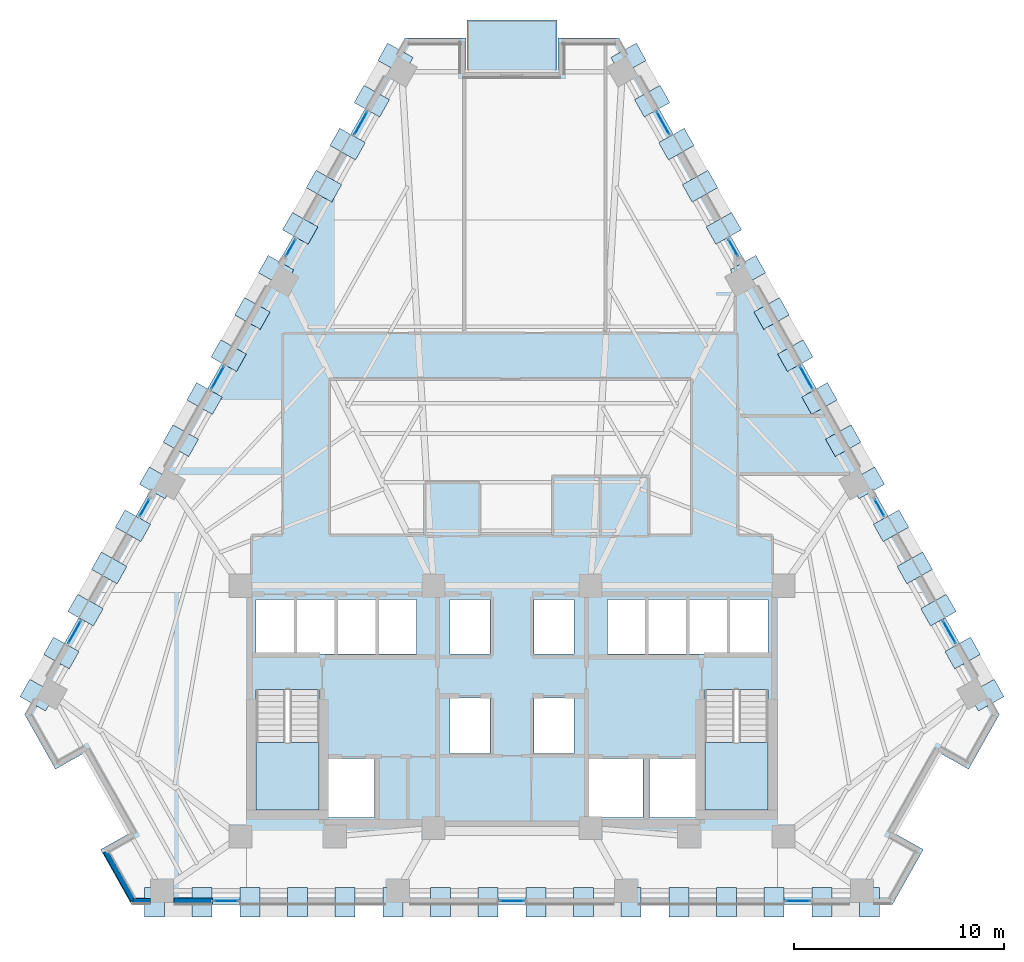
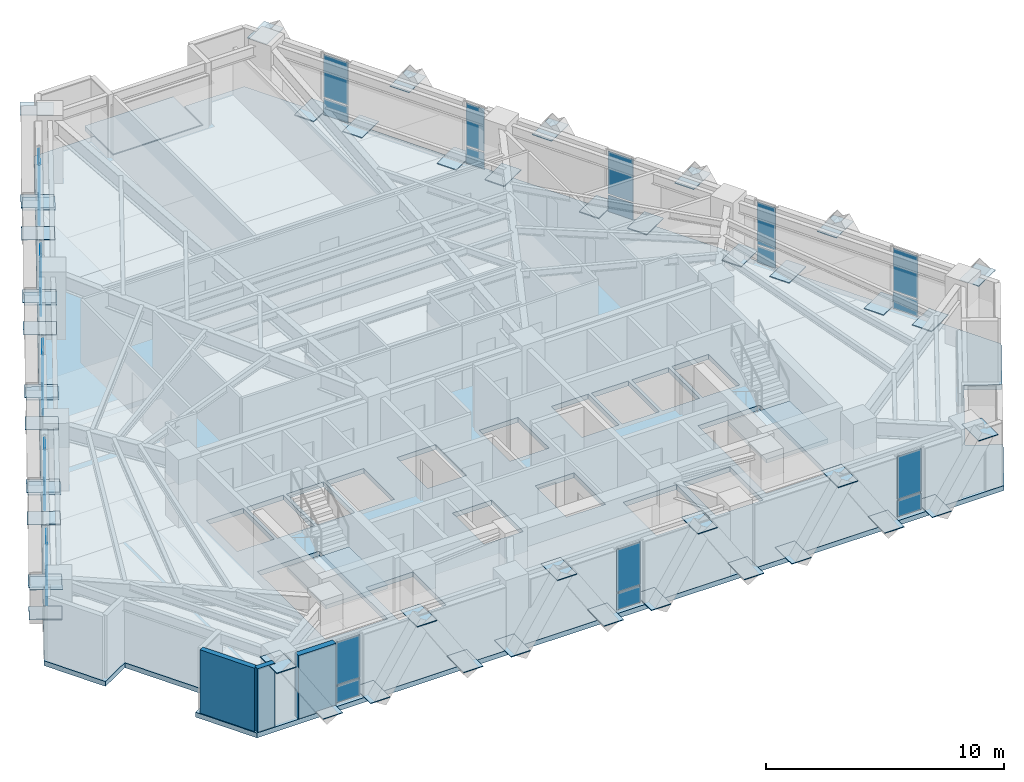
# One storey, part 6 of 13: 74 plates, 4 slabs, 3 walls, 15 elements without a shape of their own.
"""IFC4 building model written with IfcOpenShell, lengths in metres."""

from ifc_helpers import new_model, si_unit, direction, frame, frame_2d, origin, origin_2d, place, context, subcontext, project, spatial, polyline, rectangle, outline, extrude, material, layer, layer_set, type_object, element, aggregate, save


model = new_model("IFC4")

# Units and contexts
model_context = context("Model", 3, precision=1e-05, world=origin(), true_north=direction((0.0, 1.0)))
body_context = subcontext(model_context, "Body", "Model", "MODEL_VIEW")
ifc_project = project(units=[si_unit("LENGTHUNIT", "METRE"), si_unit("AREAUNIT", "SQUARE_METRE"), si_unit("VOLUMEUNIT", "CUBIC_METRE"), si_unit("PLANEANGLEUNIT", "RADIAN"), si_unit("MASSUNIT", "GRAM", prefix="KILO")], contexts=[model_context])

# Site, building, storey
site_placement = place(None, origin())
site = spatial("IfcSite", under=ifc_project, at=site_placement, CompositionType="ELEMENT")
building_placement = place(site_placement, origin())
building = spatial("IfcBuilding", under=site, at=building_placement, Name="Quenlor Broadcast Tower", CompositionType="ELEMENT")
storey_placement = place(building_placement, frame((0.0, 0.0, 95.0)))
storey = spatial("IfcBuildingStorey", under=building, at=storey_placement, Name="L25", CompositionType="ELEMENT", Elevation=95.0)

# Curtain wall, plates
ifc_material_1 = material(Name="Architectural Terracotta and Low-E Glazing", Category="masonry")
curtain_wall_type = type_object("IfcCurtainWallType", Name="Unitised Terracotta Curtain Wall System Z2", PredefinedType="NOTDEFINED", material=ifc_material_1)
curtain_wall_1_placement = place(storey_placement, origin())
curtain_wall_1 = element("IfcCurtainWall", 1, at=curtain_wall_1_placement, inside=storey, type_object=curtain_wall_type, Name="L25 Curtain Wall CW2 (L25-SA-G1)", PredefinedType="NOTDEFINED")
ifc_material_2 = material(Name="Double Glazed Low-E Solar Glass", Category="glass")
ifc_layer_1 = layer(ifc_material_2, 0.030029296875)
ifc_layer_set_1 = layer_set([ifc_layer_1], Name="CW2 Double Glazed Vision Panel 30")
plate_type_1 = type_object("IfcPlateType", Name="CW2 Double Glazed Vision Panel 30", PredefinedType="CURTAIN_PANEL", material=ifc_layer_set_1)
plate_1_placement = place(storey_placement, frame((13.63525390625, -19.840087890625, 0.074951171875), z_axis=(0.0, 0.0, 1.0), x_axis=(-1.0, 0.0, 0.0)))
plate_1 = element("IfcPlate", 2, at=plate_1_placement, type_object=plate_type_1, Name="CW2 panel 1.1", PredefinedType="CURTAIN_PANEL", context=body_context, shape_type="SweptSolid", body=[
    extrude(rectangle(XDim=1.1630859375, YDim=0.030029296875, at=origin_2d()), origin(), (0.0, 0.0, 1.0), 0.83740234375),
])
plate_2_placement = place(storey_placement, frame((13.63525390625, -19.840087890625, 0.987548828125), z_axis=(0.0, 0.0, 1.0), x_axis=(-1.0, 0.0, 0.0)))
plate_2 = element("IfcPlate", 3, at=plate_2_placement, type_object=plate_type_1, Name="CW2 panel 1.2", PredefinedType="CURTAIN_PANEL", context=body_context, shape_type="SweptSolid", body=[
    extrude(rectangle(XDim=1.1630859375, YDim=0.030029296875, at=origin_2d()), origin(), (0.0, 0.0, 1.0), 2.1875),
])
aggregate(curtain_wall_1, [plate_1, plate_2])

curtain_wall_2_placement = place(storey_placement, origin())
curtain_wall_2 = element("IfcCurtainWall", 4, at=curtain_wall_2_placement, inside=storey, type_object=curtain_wall_type, Name="L25 Curtain Wall CW2 (L25-SC-G1)", PredefinedType="NOTDEFINED")
plate_3_placement = place(storey_placement, frame((-13.63525390625, -19.840087890625, 0.074951171875), z_axis=(0.0, 0.0, 1.0), x_axis=(-1.0, 0.0, 0.0)))
plate_3 = element("IfcPlate", 5, at=plate_3_placement, type_object=plate_type_1, Name="CW2 panel 1.1", PredefinedType="CURTAIN_PANEL", context=body_context, shape_type="SweptSolid", body=[
    extrude(rectangle(XDim=1.1630859375, YDim=0.030029296875, at=origin_2d()), origin(), (0.0, 0.0, 1.0), 0.83740234375),
])
plate_4_placement = place(storey_placement, frame((-13.63525390625, -19.840087890625, 0.987548828125), z_axis=(0.0, 0.0, 1.0), x_axis=(-1.0, 0.0, 0.0)))
plate_4 = element("IfcPlate", 6, at=plate_4_placement, type_object=plate_type_1, Name="CW2 panel 1.2", PredefinedType="CURTAIN_PANEL", context=body_context, shape_type="SweptSolid", body=[
    extrude(rectangle(XDim=1.1630859375, YDim=0.030029296875, at=origin_2d()), origin(), (0.0, 0.0, 1.0), 2.1875),
])
aggregate(curtain_wall_2, [plate_3, plate_4])

curtain_wall_3_placement = place(storey_placement, origin())
curtain_wall_3 = element("IfcCurtainWall", 7, at=curtain_wall_3_placement, inside=storey, type_object=curtain_wall_type, Name="L25 Curtain Wall CW2 (L25-S-G1)", PredefinedType="NOTDEFINED")
plate_5_placement = place(storey_placement, frame((0.0, -19.840087890625, 0.074951171875), z_axis=(0.0, 0.0, 1.0), x_axis=(-1.0, 0.0, 0.0)))
plate_5 = element("IfcPlate", 8, at=plate_5_placement, type_object=plate_type_1, Name="CW2 panel 1.1", PredefinedType="CURTAIN_PANEL", context=body_context, shape_type="SweptSolid", body=[
    extrude(rectangle(XDim=1.1630859375, YDim=0.030029296875, at=origin_2d()), origin(), (0.0, 0.0, 1.0), 0.83740234375),
])
plate_6_placement = place(storey_placement, frame((0.0, -19.840087890625, 0.987548828125), z_axis=(0.0, 0.0, 1.0), x_axis=(-1.0, 0.0, 0.0)))
plate_6 = element("IfcPlate", 9, at=plate_6_placement, type_object=plate_type_1, Name="CW2 panel 1.2", PredefinedType="CURTAIN_PANEL", context=body_context, shape_type="SweptSolid", body=[
    extrude(rectangle(XDim=1.1630859375, YDim=0.030029296875, at=origin_2d()), origin(), (0.0, 0.0, 1.0), 2.1875),
])
aggregate(curtain_wall_3, [plate_5, plate_6])

curtain_wall_4_placement = place(storey_placement, origin())
curtain_wall_4 = element("IfcCurtainWall", 10, at=curtain_wall_4_placement, inside=storey, type_object=curtain_wall_type, Name="L25 Curtain Wall CW2 (L25-NEA-G1)", PredefinedType="NOTDEFINED")
plate_7_placement = place(storey_placement, frame((7.209228515625, 17.257080078125, 0.074951171875), z_axis=(0.0, 0.0, 1.0), x_axis=(0.490247320704, -0.871583366376, 0.0)))
plate_7 = element("IfcPlate", 11, at=plate_7_placement, type_object=plate_type_1, Name="CW2 panel 1.1", PredefinedType="CURTAIN_PANEL", context=body_context, shape_type="SweptSolid", body=[
    extrude(rectangle(XDim=1.21435546875, YDim=0.030029296875, at=origin_2d()), origin(), (0.0, 0.0, 1.0), 0.83740234375),
])
plate_8_placement = place(storey_placement, frame((7.209228515625, 17.257080078125, 0.987548828125), z_axis=(0.0, 0.0, 1.0), x_axis=(0.490247320704, -0.871583366376, 0.0)))
plate_8 = element("IfcPlate", 12, at=plate_8_placement, type_object=plate_type_1, Name="CW2 panel 1.2", PredefinedType="CURTAIN_PANEL", context=body_context, shape_type="SweptSolid", body=[
    extrude(rectangle(XDim=1.21435546875, YDim=0.030029296875, at=origin_2d()), origin(), (0.0, 0.0, 1.0), 2.1875),
])
aggregate(curtain_wall_4, [plate_7, plate_8])

curtain_wall_5_placement = place(storey_placement, origin())
curtain_wall_5 = element("IfcCurtainWall", 13, at=curtain_wall_5_placement, inside=storey, type_object=curtain_wall_type, Name="L25 Curtain Wall CW2 (L25-NEA-G2)", PredefinedType="NOTDEFINED")
plate_9_placement = place(storey_placement, frame((10.54736328125, 11.322998046875, 0.074951171875), z_axis=(0.0, 0.0, 1.0), x_axis=(0.490252261371, -0.871580587336, 0.0)))
plate_9 = element("IfcPlate", 14, at=plate_9_placement, type_object=plate_type_1, Name="CW2 panel 1.1", PredefinedType="CURTAIN_PANEL", context=body_context, shape_type="SweptSolid", body=[
    extrude(rectangle(XDim=0.90771484375, YDim=0.030029296875, at=origin_2d()), origin(), (0.0, 0.0, 1.0), 0.83740234375),
])
plate_10_placement = place(storey_placement, frame((10.54736328125, 11.322998046875, 0.987548828125), z_axis=(0.0, 0.0, 1.0), x_axis=(0.490252261371, -0.871580587336, 0.0)))
plate_10 = element("IfcPlate", 15, at=plate_10_placement, type_object=plate_type_1, Name="CW2 panel 1.2", PredefinedType="CURTAIN_PANEL", context=body_context, shape_type="SweptSolid", body=[
    extrude(rectangle(XDim=0.90771484375, YDim=0.030029296875, at=origin_2d()), origin(), (0.0, 0.0, 1.0), 2.1875),
])
aggregate(curtain_wall_5, [plate_9, plate_10])

curtain_wall_6_placement = place(storey_placement, origin())
curtain_wall_6 = element("IfcCurtainWall", 16, at=curtain_wall_6_placement, inside=storey, type_object=curtain_wall_type, Name="L25 Curtain Wall CW2 (L25-NEC-G1)", PredefinedType="NOTDEFINED")
plate_11_placement = place(storey_placement, frame((17.523681640625, -1.079833984375, 0.074951171875), z_axis=(0.0, 0.0, 1.0), x_axis=(0.490252261371, -0.871580587336, 0.0)))
plate_11 = element("IfcPlate", 17, at=plate_11_placement, type_object=plate_type_1, Name="CW2 panel 1.1", PredefinedType="CURTAIN_PANEL", context=body_context, shape_type="SweptSolid", body=[
    extrude(rectangle(XDim=0.90771484375, YDim=0.030029296875, at=origin_2d()), origin(), (0.0, 0.0, 1.0), 0.83740234375),
])
plate_12_placement = place(storey_placement, frame((17.523681640625, -1.079833984375, 0.987548828125), z_axis=(0.0, 0.0, 1.0), x_axis=(0.490252261371, -0.871580587336, 0.0)))
plate_12 = element("IfcPlate", 18, at=plate_12_placement, type_object=plate_type_1, Name="CW2 panel 1.2", PredefinedType="CURTAIN_PANEL", context=body_context, shape_type="SweptSolid", body=[
    extrude(rectangle(XDim=0.90771484375, YDim=0.030029296875, at=origin_2d()), origin(), (0.0, 0.0, 1.0), 2.1875),
])
aggregate(curtain_wall_6, [plate_11, plate_12])

curtain_wall_7_placement = place(storey_placement, origin())
curtain_wall_7 = element("IfcCurtainWall", 19, at=curtain_wall_7_placement, inside=storey, type_object=curtain_wall_type, Name="L25 Curtain Wall CW2 (L25-NEC-G2)", PredefinedType="NOTDEFINED")
plate_13_placement = place(storey_placement, frame((20.861572265625, -7.013916015625, 0.074951171875), z_axis=(0.0, 0.0, 1.0), x_axis=(0.490278639232, -0.871565749621, 0.0)))
plate_13 = element("IfcPlate", 20, at=plate_13_placement, type_object=plate_type_1, Name="CW2 panel 1.1", PredefinedType="CURTAIN_PANEL", context=body_context, shape_type="SweptSolid", body=[
    extrude(rectangle(XDim=1.21435546875, YDim=0.030029296875, at=origin_2d()), origin(), (0.0, 0.0, 1.0), 0.83740234375),
])
plate_14_placement = place(storey_placement, frame((20.861572265625, -7.013916015625, 0.987548828125), z_axis=(0.0, 0.0, 1.0), x_axis=(0.490278639232, -0.871565749621, 0.0)))
plate_14 = element("IfcPlate", 21, at=plate_14_placement, type_object=plate_type_1, Name="CW2 panel 1.2", PredefinedType="CURTAIN_PANEL", context=body_context, shape_type="SweptSolid", body=[
    extrude(rectangle(XDim=1.21435546875, YDim=0.030029296875, at=origin_2d()), origin(), (0.0, 0.0, 1.0), 2.1875),
])
aggregate(curtain_wall_7, [plate_13, plate_14])

curtain_wall_8_placement = place(storey_placement, origin())
curtain_wall_8 = element("IfcCurtainWall", 22, at=curtain_wall_8_placement, inside=storey, type_object=curtain_wall_type, Name="L25 Curtain Wall CW2 (L25-NE-G1)", PredefinedType="NOTDEFINED")
plate_15_placement = place(storey_placement, frame((14.035400390625, 5.12158203125, 0.074951171875), z_axis=(0.0, 0.0, 1.0), x_axis=(0.490254279037, -0.871579452423, 0.0)))
plate_15 = element("IfcPlate", 23, at=plate_15_placement, type_object=plate_type_1, Name="CW2 panel 1.1", PredefinedType="CURTAIN_PANEL", context=body_context, shape_type="SweptSolid", body=[
    extrude(rectangle(XDim=1.214111328125, YDim=0.030029296875, at=origin_2d()), origin(), (0.0, 0.0, 1.0), 0.83740234375),
])
plate_16_placement = place(storey_placement, frame((14.035400390625, 5.12158203125, 0.987548828125), z_axis=(0.0, 0.0, 1.0), x_axis=(0.490254279037, -0.871579452423, 0.0)))
plate_16 = element("IfcPlate", 24, at=plate_16_placement, type_object=plate_type_1, Name="CW2 panel 1.2", PredefinedType="CURTAIN_PANEL", context=body_context, shape_type="SweptSolid", body=[
    extrude(rectangle(XDim=1.214111328125, YDim=0.030029296875, at=origin_2d()), origin(), (0.0, 0.0, 1.0), 2.1875),
])
aggregate(curtain_wall_8, [plate_15, plate_16])

curtain_wall_9_placement = place(storey_placement, origin())
curtain_wall_9 = element("IfcCurtainWall", 25, at=curtain_wall_9_placement, inside=storey, type_object=curtain_wall_type, Name="L25 Curtain Wall CW2 (L25-NWA-G1)", PredefinedType="NOTDEFINED")
plate_17_placement = place(storey_placement, frame((-20.861572265625, -7.013916015625, 0.074951171875), z_axis=(0.0, 0.0, 1.0), x_axis=(0.490278639232, 0.871565749621, 0.0)))
plate_17 = element("IfcPlate", 26, at=plate_17_placement, type_object=plate_type_1, Name="CW2 panel 1.1", PredefinedType="CURTAIN_PANEL", context=body_context, shape_type="SweptSolid", body=[
    extrude(rectangle(XDim=1.21435546875, YDim=0.030029296875, at=origin_2d()), origin(), (0.0, 0.0, 1.0), 0.83740234375),
])
plate_18_placement = place(storey_placement, frame((-20.861572265625, -7.013916015625, 0.987548828125), z_axis=(0.0, 0.0, 1.0), x_axis=(0.490278639232, 0.871565749621, 0.0)))
plate_18 = element("IfcPlate", 27, at=plate_18_placement, type_object=plate_type_1, Name="CW2 panel 1.2", PredefinedType="CURTAIN_PANEL", context=body_context, shape_type="SweptSolid", body=[
    extrude(rectangle(XDim=1.21435546875, YDim=0.030029296875, at=origin_2d()), origin(), (0.0, 0.0, 1.0), 2.1875),
])
aggregate(curtain_wall_9, [plate_17, plate_18])

curtain_wall_10_placement = place(storey_placement, origin())
curtain_wall_10 = element("IfcCurtainWall", 28, at=curtain_wall_10_placement, inside=storey, type_object=curtain_wall_type, Name="L25 Curtain Wall CW2 (L25-NWA-G2)", PredefinedType="NOTDEFINED")
plate_19_placement = place(storey_placement, frame((-17.523681640625, -1.079833984375, 0.074951171875), z_axis=(0.0, 0.0, 1.0), x_axis=(0.490252261371, 0.871580587336, 0.0)))
plate_19 = element("IfcPlate", 29, at=plate_19_placement, type_object=plate_type_1, Name="CW2 panel 1.1", PredefinedType="CURTAIN_PANEL", context=body_context, shape_type="SweptSolid", body=[
    extrude(rectangle(XDim=0.90771484375, YDim=0.030029296875, at=origin_2d()), origin(), (0.0, 0.0, 1.0), 0.83740234375),
])
plate_20_placement = place(storey_placement, frame((-17.523681640625, -1.079833984375, 0.987548828125), z_axis=(0.0, 0.0, 1.0), x_axis=(0.490252261371, 0.871580587336, 0.0)))
plate_20 = element("IfcPlate", 30, at=plate_20_placement, type_object=plate_type_1, Name="CW2 panel 1.2", PredefinedType="CURTAIN_PANEL", context=body_context, shape_type="SweptSolid", body=[
    extrude(rectangle(XDim=0.90771484375, YDim=0.030029296875, at=origin_2d()), origin(), (0.0, 0.0, 1.0), 2.1875),
])
aggregate(curtain_wall_10, [plate_19, plate_20])

curtain_wall_11_placement = place(storey_placement, origin())
curtain_wall_11 = element("IfcCurtainWall", 31, at=curtain_wall_11_placement, inside=storey, type_object=curtain_wall_type, Name="L25 Curtain Wall CW2 (L25-NWC-G1)", PredefinedType="NOTDEFINED")
plate_21_placement = place(storey_placement, frame((-10.54736328125, 11.322998046875, 0.074951171875), z_axis=(0.0, 0.0, 1.0), x_axis=(0.490252261371, 0.871580587336, 0.0)))
plate_21 = element("IfcPlate", 32, at=plate_21_placement, type_object=plate_type_1, Name="CW2 panel 1.1", PredefinedType="CURTAIN_PANEL", context=body_context, shape_type="SweptSolid", body=[
    extrude(rectangle(XDim=0.90771484375, YDim=0.030029296875, at=origin_2d()), origin(), (0.0, 0.0, 1.0), 0.83740234375),
])
plate_22_placement = place(storey_placement, frame((-10.54736328125, 11.322998046875, 0.987548828125), z_axis=(0.0, 0.0, 1.0), x_axis=(0.490252261371, 0.871580587336, 0.0)))
plate_22 = element("IfcPlate", 33, at=plate_22_placement, type_object=plate_type_1, Name="CW2 panel 1.2", PredefinedType="CURTAIN_PANEL", context=body_context, shape_type="SweptSolid", body=[
    extrude(rectangle(XDim=0.90771484375, YDim=0.030029296875, at=origin_2d()), origin(), (0.0, 0.0, 1.0), 2.1875),
])
aggregate(curtain_wall_11, [plate_21, plate_22])

curtain_wall_12_placement = place(storey_placement, origin())
curtain_wall_12 = element("IfcCurtainWall", 34, at=curtain_wall_12_placement, inside=storey, type_object=curtain_wall_type, Name="L25 Curtain Wall CW2 (L25-NWC-G2)", PredefinedType="NOTDEFINED")
plate_23_placement = place(storey_placement, frame((-7.209228515625, 17.257080078125, 0.074951171875), z_axis=(0.0, 0.0, 1.0), x_axis=(0.490247320704, 0.871583366376, 0.0)))
plate_23 = element("IfcPlate", 35, at=plate_23_placement, type_object=plate_type_1, Name="CW2 panel 1.1", PredefinedType="CURTAIN_PANEL", context=body_context, shape_type="SweptSolid", body=[
    extrude(rectangle(XDim=1.21435546875, YDim=0.030029296875, at=origin_2d()), origin(), (0.0, 0.0, 1.0), 0.83740234375),
])
plate_24_placement = place(storey_placement, frame((-7.209228515625, 17.257080078125, 0.987548828125), z_axis=(0.0, 0.0, 1.0), x_axis=(0.490247320704, 0.871583366376, 0.0)))
plate_24 = element("IfcPlate", 36, at=plate_24_placement, type_object=plate_type_1, Name="CW2 panel 1.2", PredefinedType="CURTAIN_PANEL", context=body_context, shape_type="SweptSolid", body=[
    extrude(rectangle(XDim=1.21435546875, YDim=0.030029296875, at=origin_2d()), origin(), (0.0, 0.0, 1.0), 2.1875),
])
aggregate(curtain_wall_12, [plate_23, plate_24])

curtain_wall_13_placement = place(storey_placement, origin())
curtain_wall_13 = element("IfcCurtainWall", 37, at=curtain_wall_13_placement, inside=storey, type_object=curtain_wall_type, Name="L25 Curtain Wall CW2 (L25-NW-G1)", PredefinedType="NOTDEFINED")
plate_25_placement = place(storey_placement, frame((-14.035400390625, 5.12158203125, 0.074951171875), z_axis=(0.0, 0.0, 1.0), x_axis=(0.490254279037, 0.871579452423, 0.0)))
plate_25 = element("IfcPlate", 38, at=plate_25_placement, type_object=plate_type_1, Name="CW2 panel 1.1", PredefinedType="CURTAIN_PANEL", context=body_context, shape_type="SweptSolid", body=[
    extrude(rectangle(XDim=1.214111328125, YDim=0.030029296875, at=origin_2d()), origin(), (0.0, 0.0, 1.0), 0.83740234375),
])
plate_26_placement = place(storey_placement, frame((-14.035400390625, 5.12158203125, 0.987548828125), z_axis=(0.0, 0.0, 1.0), x_axis=(0.490254279037, 0.871579452423, 0.0)))
plate_26 = element("IfcPlate", 39, at=plate_26_placement, type_object=plate_type_1, Name="CW2 panel 1.2", PredefinedType="CURTAIN_PANEL", context=body_context, shape_type="SweptSolid", body=[
    extrude(rectangle(XDim=1.214111328125, YDim=0.030029296875, at=origin_2d()), origin(), (0.0, 0.0, 1.0), 2.1875),
])
aggregate(curtain_wall_13, [plate_25, plate_26])

# Stair, slab
ifc_material_3 = material(Name="Precast concrete C40/50", Category="concrete")
stair_type = type_object("IfcStairType", Name="Precast Concrete C40/50 Dogleg Stair H350", PredefinedType="HALF_TURN_STAIR", material=ifc_material_3)
stair_1_placement = place(storey_placement, origin())
stair_1 = element("IfcStair", 40, at=stair_1_placement, inside=storey, type_object=stair_type, Name="L25 West Core Fire-Isolated Exit Stair ST-1", PredefinedType="HALF_TURN_STAIR")
ifc_material_4 = material(Name="Precast concrete C40/50", Category="concrete")
ifc_layer_2 = layer(ifc_material_4, 0.199951171875)
ifc_layer_set_2 = layer_set([ifc_layer_2], Name="Precast Concrete C40/50 Stair Landing Slab 200")
slab_type_1 = type_object("IfcSlabType", Name="Precast Concrete C40/50 Stair Landing Slab 200", PredefinedType="LANDING", material=ifc_layer_set_2)
slab_1_placement = place(storey_placement, frame((0.0, 0.0, 1.550048828125)))
slab_1 = element("IfcSlab", 41, at=slab_1_placement, type_object=slab_type_1, Name="ST-1 landing 1", PredefinedType="LANDING", context=body_context, shape_type="SweptSolid", body=[
    extrude(outline(polyline([(-12.199951171875, -12.27001953125), (-12.199951171875, -15.5), (-9.199951171875, -15.5), (-9.199951171875, -12.27001953125), (-12.199951171875, -12.27001953125)])), origin(), (0.0, 0.0, 1.0), 0.199951171875),
])
aggregate(stair_1, [slab_1])

stair_2_placement = place(storey_placement, origin())
stair_2 = element("IfcStair", 42, at=stair_2_placement, inside=storey, type_object=stair_type, Name="L25 East Core Fire-Isolated Exit Stair ST-2", PredefinedType="HALF_TURN_STAIR")
slab_2_placement = place(storey_placement, frame((0.0, 0.0, 1.550048828125)))
slab_2 = element("IfcSlab", 43, at=slab_2_placement, type_object=slab_type_1, Name="ST-2 landing 1", PredefinedType="LANDING", context=body_context, shape_type="SweptSolid", body=[
    extrude(outline(polyline([(9.199951171875, -12.27001953125), (9.199951171875, -15.5), (12.199951171875, -15.5), (12.199951171875, -12.27001953125), (9.199951171875, -12.27001953125)])), origin(), (0.0, 0.0, 1.0), 0.199951171875),
])
aggregate(stair_2, [slab_2])

# Slabs
ifc_material_5 = material(Name="Concrete C40/50", Category="concrete")
ifc_layer_3 = layer(ifc_material_5, 0.239990234375)
ifc_layer_set_3 = layer_set([ifc_layer_3], Name="Sky Lobby Lower Concrete C40/50 Terrace Slab 240")
slab_type_2 = type_object("IfcSlabType", Name="Sky Lobby Lower Concrete C40/50 Terrace Slab 240", PredefinedType="FLOOR", material=ifc_layer_set_3)
slab_3_placement = place(storey_placement, frame((0.0, 0.0, -0.239990234375)))
element("IfcSlab", 44, at=slab_3_placement, inside=storey, type_object=slab_type_2, Name="L25 Outdoor Setback Terrace Slab", PredefinedType="FLOOR", context=body_context, shape_type="SweptSolid", body=[
    extrude(outline(polyline([(-2.14990234375, 19.780029296875), (2.14990234375, 19.780029296875), (2.14990234375, 22.179931640625), (-2.14990234375, 22.179931640625), (-2.14990234375, 19.780029296875)])), origin(), (0.0, 0.0, 1.0), 0.239990234375),
])
ifc_material_6 = material(Name="Concrete C40/50", Category="concrete")
ifc_layer_4 = layer(ifc_material_6, 0.25)
ifc_layer_set_4 = layer_set([ifc_layer_4], Name="Tower Composite Concrete C40/50 Slab 250")
slab_type_3 = type_object("IfcSlabType", Name="Tower Composite Concrete C40/50 Slab 250", PredefinedType="FLOOR", material=ifc_layer_set_4)
slab_4_placement = place(storey_placement, frame((0.0, 0.0, -0.25)))
element("IfcSlab", 45, at=slab_4_placement, inside=storey, type_object=slab_type_3, Name="L25 Structural Floor Slab", PredefinedType="FLOOR", context=body_context, shape_type="SweptSolid", body=[
    extrude(outline(polyline([(18.14404296875, -20.0), (19.616943359375, -17.381591796875), (18.222412109375, -16.596923828125), (20.379638671875, -12.76220703125), (21.774169921875, -13.54638671875), (23.2470703125, -10.927978515625), (5.10302734375, 21.327880859375), (2.199951171875, 21.327880859375), (2.199951171875, 19.72802734375), (-2.199951171875, 19.72802734375), (-2.199951171875, 21.327880859375), (-5.10302734375, 21.327880859375), (-23.2470703125, -10.927978515625), (-21.774169921875, -13.54638671875), (-20.379638671875, -12.76220703125), (-18.222412109375, -16.596923828125), (-19.616943359375, -17.381591796875), (-18.14404296875, -20.0), (18.14404296875, -20.0)]), holes=[polyline([(-12.199951171875, -9.758056640625), (-12.199951171875, -15.5), (-9.199951171875, -15.5), (-9.199951171875, -9.758056640625), (-12.199951171875, -9.758056640625)]), polyline([(9.199951171875, -9.758056640625), (9.199951171875, -15.5), (12.199951171875, -15.5), (12.199951171875, -9.758056640625), (9.199951171875, -9.758056640625)]), polyline([(-12.199951171875, -8.050048828125), (-10.39990234375, -8.050048828125), (-10.39990234375, -5.449951171875), (-12.199951171875, -5.449951171875), (-12.199951171875, -8.050048828125)]), polyline([(-10.25, -8.050048828125), (-8.449951171875, -8.050048828125), (-8.449951171875, -5.449951171875), (-10.25, -5.449951171875), (-10.25, -8.050048828125)]), polyline([(-8.300048828125, -8.050048828125), (-6.5, -8.050048828125), (-6.5, -5.449951171875), (-8.300048828125, -5.449951171875), (-8.300048828125, -8.050048828125)]), polyline([(-6.35009765625, -8.050048828125), (-4.550048828125, -8.050048828125), (-4.550048828125, -5.449951171875), (-6.35009765625, -5.449951171875), (-6.35009765625, -8.050048828125)]), polyline([(-2.949951171875, -8.050048828125), (-1.050048828125, -8.050048828125), (-1.050048828125, -5.449951171875), (-2.949951171875, -5.449951171875), (-2.949951171875, -8.050048828125)]), polyline([(1.050048828125, -8.050048828125), (2.949951171875, -8.050048828125), (2.949951171875, -5.449951171875), (1.050048828125, -5.449951171875), (1.050048828125, -8.050048828125)]), polyline([(-2.949951171875, -12.800048828125), (-1.050048828125, -12.800048828125), (-1.050048828125, -10.14990234375), (-2.949951171875, -10.14990234375), (-2.949951171875, -12.800048828125)]), polyline([(1.050048828125, -12.800048828125), (2.949951171875, -12.800048828125), (2.949951171875, -10.14990234375), (1.050048828125, -10.14990234375), (1.050048828125, -12.800048828125)]), polyline([(4.550048828125, -8.050048828125), (6.35009765625, -8.050048828125), (6.35009765625, -5.449951171875), (4.550048828125, -5.449951171875), (4.550048828125, -8.050048828125)]), polyline([(6.5, -8.050048828125), (8.300048828125, -8.050048828125), (8.300048828125, -5.449951171875), (6.5, -5.449951171875), (6.5, -8.050048828125)]), polyline([(8.449951171875, -8.050048828125), (10.25, -8.050048828125), (10.25, -5.449951171875), (8.449951171875, -5.449951171875), (8.449951171875, -8.050048828125)]), polyline([(10.39990234375, -8.050048828125), (12.199951171875, -8.050048828125), (12.199951171875, -5.449951171875), (10.39990234375, -5.449951171875), (10.39990234375, -8.050048828125)]), polyline([(-8.85009765625, -15.85009765625), (-6.550048828125, -15.85009765625), (-6.550048828125, -13.050048828125), (-8.85009765625, -13.050048828125), (-8.85009765625, -15.85009765625)]), polyline([(6.550048828125, -15.85009765625), (8.85009765625, -15.85009765625), (8.85009765625, -13.050048828125), (6.550048828125, -13.050048828125), (6.550048828125, -15.85009765625)]), polyline([(3.64990234375, -15.85009765625), (6.25, -15.85009765625), (6.25, -13.050048828125), (3.64990234375, -13.050048828125), (3.64990234375, -15.85009765625)])]), origin(), (0.0, 0.0, 1.0), 0.25),
])

# Plates
ifc_material_7 = material(Name="Steel S355", Category="steel")
ifc_layer_5 = layer(ifc_material_7, 0.035888671875)
ifc_layer_set_5 = layer_set([ifc_layer_5], Name="Transfer Truss Steel S355 Gusset Node Plate 1400x950x36")
plate_type_2 = type_object("IfcPlateType", Name="Transfer Truss Steel S355 Gusset Node Plate 1400x950x36", PredefinedType="SHEET", material=ifc_layer_set_5)
for number, where, z_axis, x_axis, name in (
    (46, (12.4853515625, -19.89990234375, 0.0419921875), (0.0, 0.0, 1.0), (0.0, -1.0, 0.0), "L25 Lattice Tie Gusset Node S-B2"),
    (47, (10.226318359375, -19.89990234375, 3.18212890625), (0.0, 0.0, 1.0), (0.0, -1.0, 0.0), "L25 Lattice Tie Gusset Node S-T3"),
    (48, (14.78515625, -19.89990234375, 0.0419921875), (0.0, 0.0, 1.0), (0.0, -1.0, 0.0), "L25 Lattice Tie Gusset Node S-B1"),
    (49, (17.0439453125, -19.89990234375, 3.18212890625), (0.0, 0.0, 1.0), (0.0, -1.0, 0.0), "L25 Lattice Tie Gusset Node S-T0"),
    (50, (5.667724609375, -19.89990234375, 0.0419921875), (0.0, 0.0, 1.0), (0.0, -1.0, 0.0), "L25 Lattice Tie Gusset Node S-B5"),
    (51, (3.40869140625, -19.89990234375, 3.18212890625), (0.0, 0.0, 1.0), (0.0, -1.0, 0.0), "L25 Lattice Tie Gusset Node S-T6"),
    (52, (7.967529296875, -19.89990234375, 0.0419921875), (0.0, 0.0, 1.0), (0.0, -1.0, 0.0), "L25 Lattice Tie Gusset Node S-B4"),
    (53, (-1.14990234375, -19.89990234375, 0.0419921875), (0.0, 0.0, 1.0), (0.0, -1.0, 0.0), "L25 Lattice Tie Gusset Node S-B8"),
    (54, (-3.40869140625, -19.89990234375, 3.18212890625), (0.0, 0.0, 1.0), (0.0, -1.0, 0.0), "L25 Lattice Tie Gusset Node S-T9"),
    (55, (1.14990234375, -19.89990234375, 0.0419921875), (0.0, 0.0, 1.0), (0.0, -1.0, 0.0), "L25 Lattice Tie Gusset Node S-B7"),
    (56, (-7.967529296875, -19.89990234375, 0.0419921875), (0.0, 0.0, 1.0), (0.0, -1.0, 0.0), "L25 Lattice Tie Gusset Node S-B11"),
    (57, (-10.226318359375, -19.89990234375, 3.18212890625), (0.0, 0.0, 1.0), (0.0, -1.0, 0.0), "L25 Lattice Tie Gusset Node S-T12"),
    (58, (-5.667724609375, -19.89990234375, 0.0419921875), (0.0, 0.0, 1.0), (0.0, -1.0, 0.0), "L25 Lattice Tie Gusset Node S-B10"),
    (59, (-14.78515625, -19.89990234375, 0.0419921875), (0.0, 0.0, 1.0), (0.0, -1.0, 0.0), "L25 Lattice Tie Gusset Node S-B14"),
    (60, (-17.0439453125, -19.89990234375, 3.18212890625), (0.0, 0.0, 1.0), (0.0, -1.0, 0.0), "L25 Lattice Tie Gusset Node S-T15"),
    (61, (-12.4853515625, -19.89990234375, 0.0419921875), (0.0, 0.0, 1.0), (0.0, -1.0, 0.0), "L25 Lattice Tie Gusset Node S-B13"),
    (62, (7.83740234375, 16.262939453125, 0.0419921875), (0.0, 0.0, 1.0), (0.871556314255, 0.490295412055, 0.0), "L25 Lattice Tie Gusset Node NE-B2"),
    (63, (8.96826171875, 14.252685546875, 3.18212890625), (0.0, 0.0, 1.0), (0.871556314255, 0.490295412055, 0.0), "L25 Lattice Tie Gusset Node NE-T3"),
    (64, (6.68603515625, 18.309814453125, 0.0419921875), (0.0, 0.0, 1.0), (0.871556314255, 0.490295412055, 0.0), "L25 Lattice Tie Gusset Node NE-B1"),
    (65, (5.55517578125, 20.3203125, 3.18212890625), (0.0, 0.0, 1.0), (0.871556314255, 0.490295412055, 0.0), "L25 Lattice Tie Gusset Node NE-T0"),
    (66, (11.25048828125, 10.1953125, 0.0419921875), (0.0, 0.0, 1.0), (0.871556314255, 0.490295412055, 0.0), "L25 Lattice Tie Gusset Node NE-B5"),
    (67, (12.38134765625, 8.184814453125, 3.18212890625), (0.0, 0.0, 1.0), (0.871556314255, 0.490295412055, 0.0), "L25 Lattice Tie Gusset Node NE-T6"),
    (68, (10.09912109375, 12.2421875, 0.0419921875), (0.0, 0.0, 1.0), (0.871556314255, 0.490295412055, 0.0), "L25 Lattice Tie Gusset Node NE-B4"),
    (69, (14.66357421875, 4.127685546875, 0.0419921875), (0.0, 0.0, 1.0), (0.871556314255, 0.490295412055, 0.0), "L25 Lattice Tie Gusset Node NE-B8"),
    (70, (15.794189453125, 2.1171875, 3.18212890625), (0.0, 0.0, 1.0), (0.871556314255, 0.490295412055, 0.0), "L25 Lattice Tie Gusset Node NE-T9"),
    (71, (13.51220703125, 6.17431640625, 0.0419921875), (0.0, 0.0, 1.0), (0.871556314255, 0.490295412055, 0.0), "L25 Lattice Tie Gusset Node NE-B7"),
    (72, (18.07666015625, -1.940185546875, 0.0419921875), (0.0, 0.0, 1.0), (0.871556314255, 0.490295412055, 0.0), "L25 Lattice Tie Gusset Node NE-B11"),
    (73, (19.20751953125, -3.950439453125, 3.18212890625), (0.0, 0.0, 1.0), (0.871556314255, 0.490295412055, 0.0), "L25 Lattice Tie Gusset Node NE-T12"),
    (74, (16.92529296875, 0.106689453125, 0.0419921875), (0.0, 0.0, 1.0), (0.871556314255, 0.490295412055, 0.0), "L25 Lattice Tie Gusset Node NE-B10"),
    (75, (21.489501953125, -8.0078125, 0.0419921875), (0.0, 0.0, 1.0), (0.871556314255, 0.490295412055, 0.0), "L25 Lattice Tie Gusset Node NE-B14"),
    (76, (22.62060546875, -10.018310546875, 3.18212890625), (0.0, 0.0, 1.0), (0.871556314255, 0.490295412055, 0.0), "L25 Lattice Tie Gusset Node NE-T15"),
    (77, (20.33837890625, -5.9609375, 0.0419921875), (0.0, 0.0, 1.0), (0.871556314255, 0.490295412055, 0.0), "L25 Lattice Tie Gusset Node NE-B13"),
    (78, (-20.33837890625, -5.9609375, 0.0419921875), (0.0, 0.0, 1.0), (-0.871556314255, 0.490295412055, 0.0), "L25 Lattice Tie Gusset Node NW-B2"),
    (79, (-19.20751953125, -3.950439453125, 3.18212890625), (0.0, 0.0, 1.0), (-0.871556314255, 0.490295412055, 0.0), "L25 Lattice Tie Gusset Node NW-T3"),
    (80, (-21.489501953125, -8.0078125, 0.0419921875), (0.0, 0.0, 1.0), (-0.871556314255, 0.490295412055, 0.0), "L25 Lattice Tie Gusset Node NW-B1"),
    (81, (-22.62060546875, -10.018310546875, 3.18212890625), (0.0, 0.0, 1.0), (-0.871556314255, 0.490295412055, 0.0), "L25 Lattice Tie Gusset Node NW-T0"),
    (82, (-16.92529296875, 0.106689453125, 0.0419921875), (0.0, 0.0, 1.0), (-0.871556314255, 0.490295412055, 0.0), "L25 Lattice Tie Gusset Node NW-B5"),
    (83, (-15.794189453125, 2.1171875, 3.18212890625), (0.0, 0.0, 1.0), (-0.871556314255, 0.490295412055, 0.0), "L25 Lattice Tie Gusset Node NW-T6"),
    (84, (-18.07666015625, -1.940185546875, 0.0419921875), (0.0, 0.0, 1.0), (-0.871556314255, 0.490295412055, 0.0), "L25 Lattice Tie Gusset Node NW-B4"),
    (85, (-13.51220703125, 6.17431640625, 0.0419921875), (0.0, 0.0, 1.0), (-0.871556314255, 0.490295412055, 0.0), "L25 Lattice Tie Gusset Node NW-B8"),
    (86, (-12.38134765625, 8.184814453125, 3.18212890625), (0.0, 0.0, 1.0), (-0.871556314255, 0.490295412055, 0.0), "L25 Lattice Tie Gusset Node NW-T9"),
    (87, (-14.66357421875, 4.127685546875, 0.0419921875), (0.0, 0.0, 1.0), (-0.871556314255, 0.490295412055, 0.0), "L25 Lattice Tie Gusset Node NW-B7"),
    (88, (-10.09912109375, 12.2421875, 0.0419921875), (0.0, 0.0, 1.0), (-0.871556314255, 0.490295412055, 0.0), "L25 Lattice Tie Gusset Node NW-B11"),
    (89, (-8.96826171875, 14.252685546875, 3.18212890625), (0.0, 0.0, 1.0), (-0.871556314255, 0.490295412055, 0.0), "L25 Lattice Tie Gusset Node NW-T12"),
    (90, (-11.25048828125, 10.1953125, 0.0419921875), (0.0, 0.0, 1.0), (-0.871556314255, 0.490295412055, 0.0), "L25 Lattice Tie Gusset Node NW-B10"),
    (91, (-6.68603515625, 18.309814453125, 0.0419921875), (0.0, 0.0, 1.0), (-0.871556314255, 0.490295412055, 0.0), "L25 Lattice Tie Gusset Node NW-B14"),
    (92, (-5.55517578125, 20.3203125, 3.18212890625), (0.0, 0.0, 1.0), (-0.871556314255, 0.490295412055, 0.0), "L25 Lattice Tie Gusset Node NW-T15"),
    (93, (-7.83740234375, 16.262939453125, 0.0419921875), (0.0, 0.0, 1.0), (-0.871556314255, 0.490295412055, 0.0), "L25 Lattice Tie Gusset Node NW-B13"),
):
    element("IfcPlate", number, at=place(storey_placement, frame(where, z_axis=z_axis, x_axis=x_axis)), inside=storey, type_object=plate_type_2, Name=name, PredefinedType="SHEET", context=body_context, shape_type="SweptSolid", body=[
        extrude(rectangle(XDim=1.39990234375, YDim=0.949951171875, at=origin_2d()), origin(), (0.0, 0.0, 1.0), 0.035888671875),
    ])

# Walls
ifc_material_8 = material(Name="Precast concrete C40/50", Category="concrete")
ifc_layer_6 = layer(ifc_material_8, 0.239990234375)
ifc_layer_set_6 = layer_set([ifc_layer_6], Name="Terrace Threshold Precast Concrete C40/50 Wall 240")
wall_type_1 = type_object("IfcWallType", Name="Terrace Threshold Precast Concrete C40/50 Wall 240", PredefinedType="STANDARD", material=ifc_layer_set_6)
wall_1_placement = place(storey_placement, frame((-17.24755859375, -19.840087890625, 0.0), z_axis=(0.0, 0.0, 1.0), x_axis=(-1.0, 0.0, 0.0)))
element("IfcWall", 94, at=wall_1_placement, inside=storey, type_object=wall_type_1, Name="L25 Exterior Wall L25-SHD-SS1", PredefinedType="STANDARD", context=body_context, shape_type="SweptSolid", body=[
    extrude(rectangle(XDim=0.83642578125, YDim=0.239990234375, at=frame_2d((0.418212890625, 0.0))), origin(), (0.0, 0.0, 1.0), 3.25),
])
wall_2_placement = place(storey_placement, frame((-19.37939453125, -17.477294921875, 0.0), z_axis=(0.0, 0.0, 1.0), x_axis=(0.49023085981, -0.871592625078, 0.0)))
element("IfcWall", 95, at=wall_2_placement, inside=storey, type_object=wall_type_1, Name="L25 Exterior Wall L25-CNR-16", PredefinedType="STANDARD", context=body_context, shape_type="SweptSolid", body=[
    extrude(rectangle(XDim=2.6708984375, YDim=0.239990234375, at=frame_2d((1.33544921875, 0.0))), origin(), (0.0, 0.0, 1.0), 3.25),
])
ifc_material_9 = material(Name="Precast concrete C40/50", Category="concrete")
ifc_layer_7 = layer(ifc_material_9, 0.280029296875)
ifc_layer_set_7 = layer_set([ifc_layer_7], Name="Terracotta Precast Concrete C40/50 Facade Wall 280")
wall_type_2 = type_object("IfcWallType", Name="Terracotta Precast Concrete C40/50 Facade Wall 280", PredefinedType="STANDARD", material=ifc_layer_set_7)
wall_3_placement = place(storey_placement, frame((-14.291748046875, -19.840087890625, 0.0), z_axis=(0.0, 0.0, 1.0), x_axis=(-1.0, 0.0, 0.0)))
element("IfcWall", 96, at=wall_3_placement, inside=storey, type_object=wall_type_2, Name="L25 Exterior Wall L25-SC-SP2", PredefinedType="STANDARD", context=body_context, shape_type="SweptSolid", body=[
    extrude(rectangle(XDim=1.82568359375, YDim=0.280029296875, at=frame_2d((0.912841796875, 0.0))), origin(), (0.0, 0.0, 1.0), 3.25),
])

save(model, "model.ifc")
